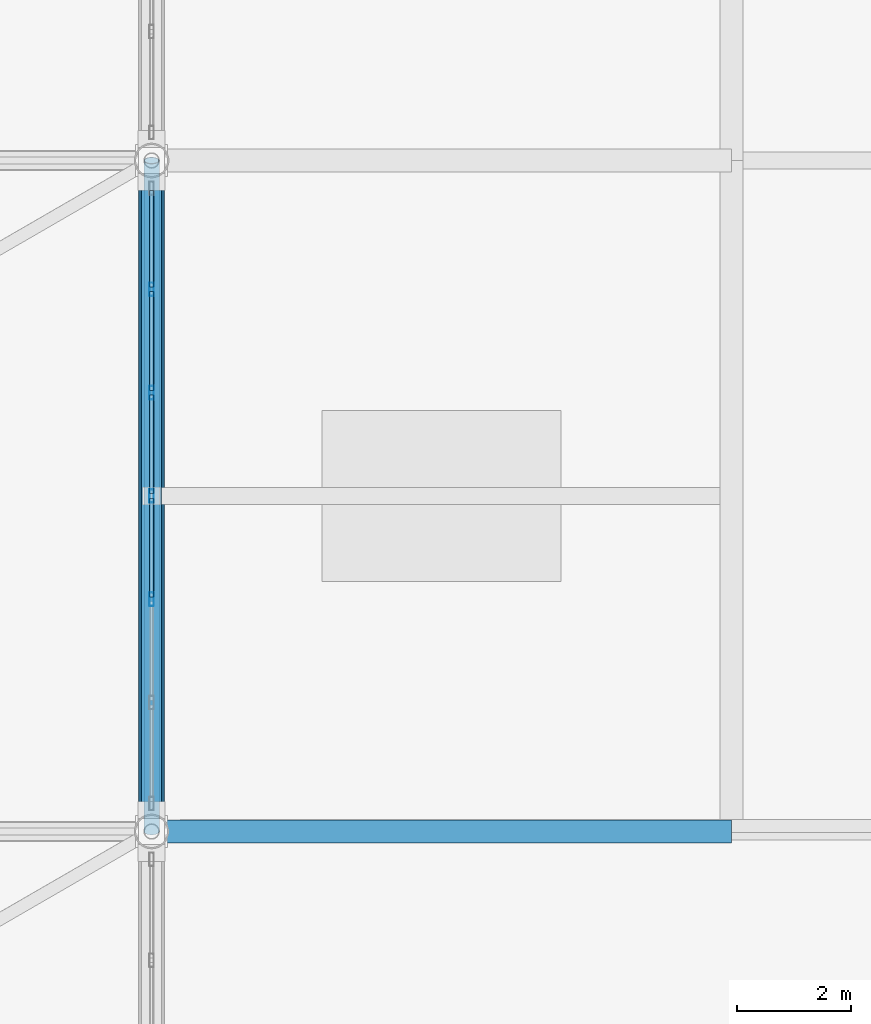
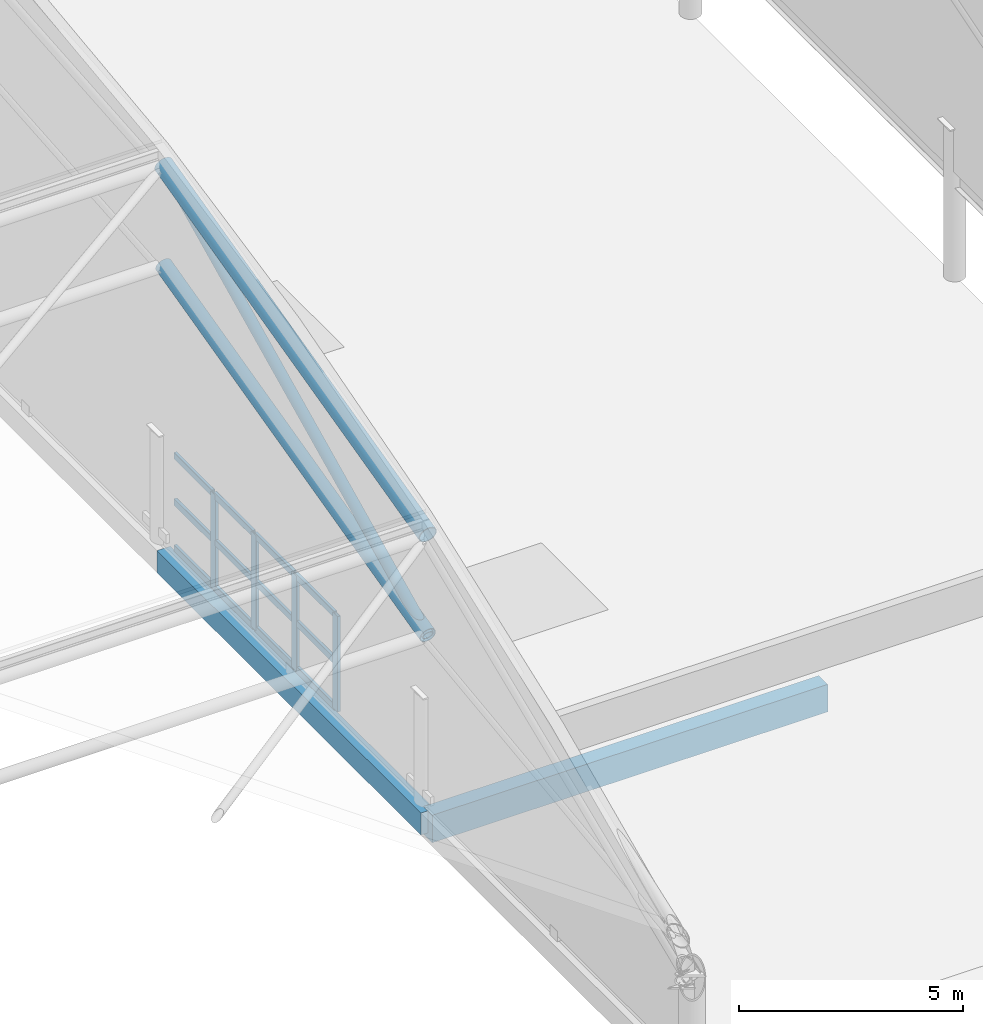
# One storey, part 50 of 135: 19 members, 2 beams, 1 element without a shape of its own.
"""IFC4 building model written with IfcOpenShell, lengths in metres."""

from ifc_helpers import new_model, si_unit, direction, frame, origin, origin_2d, place, context, subcontext, project, spatial, rectangle, hollow_rectangle, hollow_circle, extrude, material, material_profile, profile_set, type_object, element, aggregate, save


model = new_model("IFC4")

# Units and contexts
model_context = context("Model", 3, precision=1e-05, world=origin(), true_north=direction((0.0, 1.0)))
body_context = subcontext(model_context, "Body", "Model", "MODEL_VIEW")
ifc_project = project(units=[si_unit("LENGTHUNIT", "METRE"), si_unit("AREAUNIT", "SQUARE_METRE"), si_unit("VOLUMEUNIT", "CUBIC_METRE"), si_unit("PLANEANGLEUNIT", "RADIAN"), si_unit("MASSUNIT", "GRAM", prefix="KILO")], contexts=[model_context])

# Site, building, storey
site_placement = place(None, origin())
site = spatial("IfcSite", under=ifc_project, at=site_placement, CompositionType="ELEMENT")
building_placement = place(site_placement, origin())
building = spatial("IfcBuilding", under=site, at=building_placement, Name="Brelvane Convention Centre", CompositionType="ELEMENT")
storey_placement = place(building_placement, frame((0.0, 0.0, 15.0)))
storey = spatial("IfcBuildingStorey", under=building, at=storey_placement, Name="L03", CompositionType="ELEMENT", Elevation=15.0)

# Curtain wall, members
ifc_material_1 = material(Name="Anodised Aluminium Alloy 6063-T6", Category="aluminium")
curtain_wall_type = type_object("IfcCurtainWallType", Name="Curtain Wall CW-HULL-N", PredefinedType="USERDEFINED", material=ifc_material_1)
curtain_wall_placement = place(storey_placement, origin())
curtain_wall = element("IfcCurtainWall", 1, at=curtain_wall_placement, inside=storey, type_object=curtain_wall_type, Name="Curtain Wall CW-HULL-N L03-EXH-E-CLER-2", ObjectType="UNITISED", PredefinedType="USERDEFINED")
ifc_material_2 = material(Name="Anodised Aluminium Alloy 6063-T6", Category="aluminium")
ifc_material_profile_1 = material_profile(ifc_material_2, hollow_rectangle(XDim=0.080078125, YDim=0.239990234375, WallThickness=0.006103515625, InnerFilletRadius=0.006103515625, OuterFilletRadius=0.011962890625, at=origin_2d()), Name="ALU-M 240x80x6.0")
ifc_profile_set_1 = profile_set([ifc_material_profile_1], Name="Anodised Aluminium Alloy 6063-T6")
member_type_1 = type_object("IfcMemberType", Name="Curtain Mullion CW-M1", PredefinedType="MULLION", material=ifc_profile_set_1)
member_1_placement = place(storey_placement, frame((142.800048828125, 44.683349609375, 0.0), z_axis=(0.0, 0.0, 1.0), x_axis=(-1.0, 0.0, 0.0)))
member_1 = element("IfcMember", 2, at=member_1_placement, type_object=member_type_1, Name="CW-HULL-N mullion 3", PredefinedType="MULLION", context=body_context, shape_type="SweptSolid", body=[
    extrude(hollow_rectangle(XDim=0.080078125, YDim=0.239990234375, WallThickness=0.006103515625, InnerFilletRadius=0.006103515625, OuterFilletRadius=0.011962890625, at=origin_2d()), origin(), (0.0, 0.0, 1.0), 2.60009765625),
])
member_2_placement = place(storey_placement, frame((142.800048828125, 46.5, 0.0), z_axis=(0.0, 0.0, 1.0), x_axis=(-1.0, 0.0, 0.0)))
member_2 = element("IfcMember", 3, at=member_2_placement, type_object=member_type_1, Name="CW-HULL-N mullion 4", PredefinedType="MULLION", context=body_context, shape_type="SweptSolid", body=[
    extrude(hollow_rectangle(XDim=0.080078125, YDim=0.239990234375, WallThickness=0.006103515625, InnerFilletRadius=0.006103515625, OuterFilletRadius=0.011962890625, at=origin_2d()), origin(), (0.0, 0.0, 1.0), 2.60009765625),
])
member_3_placement = place(storey_placement, frame((142.800048828125, 48.316650390625, 0.0), z_axis=(0.0, 0.0, 1.0), x_axis=(-1.0, 0.0, 0.0)))
member_3 = element("IfcMember", 4, at=member_3_placement, type_object=member_type_1, Name="CW-HULL-N mullion 5", PredefinedType="MULLION", context=body_context, shape_type="SweptSolid", body=[
    extrude(hollow_rectangle(XDim=0.080078125, YDim=0.239990234375, WallThickness=0.006103515625, InnerFilletRadius=0.006103515625, OuterFilletRadius=0.011962890625, at=origin_2d()), origin(), (0.0, 0.0, 1.0), 2.60009765625),
])
member_4_placement = place(storey_placement, frame((142.800048828125, 50.13330078125, 0.0), z_axis=(0.0, 0.0, 1.0), x_axis=(-1.0, 0.0, 0.0)))
member_4 = element("IfcMember", 5, at=member_4_placement, type_object=member_type_1, Name="CW-HULL-N mullion 6", PredefinedType="MULLION", context=body_context, shape_type="SweptSolid", body=[
    extrude(hollow_rectangle(XDim=0.080078125, YDim=0.239990234375, WallThickness=0.006103515625, InnerFilletRadius=0.006103515625, OuterFilletRadius=0.011962890625, at=origin_2d()), origin(), (0.0, 0.0, 1.0), 2.60009765625),
])
ifc_material_3 = material(Name="Anodised Aluminium Alloy 6063-T6", Category="aluminium")
ifc_material_profile_2 = material_profile(ifc_material_3, hollow_rectangle(XDim=0.080078125, YDim=0.179931640625, WallThickness=0.0048828125, InnerFilletRadius=0.0048828125, OuterFilletRadius=0.010009765625, at=origin_2d()), Name="ALU-T 180x80x5.0")
ifc_profile_set_2 = profile_set([ifc_material_profile_2], Name="Anodised Aluminium Alloy 6063-T6")
member_type_2 = type_object("IfcMemberType", Name="Curtain Transom CW-T1", PredefinedType="USERDEFINED", material=ifc_profile_set_2)
member_5_placement = place(storey_placement, frame((142.800048828125, 44.723388671875, 0.0400390625), z_axis=(0.0, 1.0, 0.0), x_axis=(-1.0, 0.0, 0.0)))
member_5 = element("IfcMember", 6, at=member_5_placement, type_object=member_type_2, Name="CW-HULL-N transom 3.1", ObjectType="TRANSOM", PredefinedType="USERDEFINED", context=body_context, shape_type="SweptSolid", body=[
    extrude(hollow_rectangle(XDim=0.080078125, YDim=0.179931640625, WallThickness=0.0048828125, InnerFilletRadius=0.0048828125, OuterFilletRadius=0.010009765625, at=origin_2d()), origin(), (0.0, 0.0, 1.0), 1.736572265625),
])
member_6_placement = place(storey_placement, frame((142.800048828125, 44.723388671875, 1.300048828125), z_axis=(0.0, 1.0, 0.0), x_axis=(-1.0, 0.0, 0.0)))
member_6 = element("IfcMember", 7, at=member_6_placement, type_object=member_type_2, Name="CW-HULL-N transom 3.2", ObjectType="TRANSOM", PredefinedType="USERDEFINED", context=body_context, shape_type="SweptSolid", body=[
    extrude(hollow_rectangle(XDim=0.080078125, YDim=0.179931640625, WallThickness=0.0048828125, InnerFilletRadius=0.0048828125, OuterFilletRadius=0.010009765625, at=origin_2d()), origin(), (0.0, 0.0, 1.0), 1.736572265625),
])
member_7_placement = place(storey_placement, frame((142.800048828125, 44.723388671875, 2.56005859375), z_axis=(0.0, 1.0, 0.0), x_axis=(-1.0, 0.0, 0.0)))
member_7 = element("IfcMember", 8, at=member_7_placement, type_object=member_type_2, Name="CW-HULL-N transom 3.3", ObjectType="TRANSOM", PredefinedType="USERDEFINED", context=body_context, shape_type="SweptSolid", body=[
    extrude(hollow_rectangle(XDim=0.080078125, YDim=0.179931640625, WallThickness=0.0048828125, InnerFilletRadius=0.0048828125, OuterFilletRadius=0.010009765625, at=origin_2d()), origin(), (0.0, 0.0, 1.0), 1.736572265625),
])
member_8_placement = place(storey_placement, frame((142.800048828125, 46.5400390625, 0.0400390625), z_axis=(0.0, 1.0, 0.0), x_axis=(-1.0, 0.0, 0.0)))
member_8 = element("IfcMember", 9, at=member_8_placement, type_object=member_type_2, Name="CW-HULL-N transom 4.1", ObjectType="TRANSOM", PredefinedType="USERDEFINED", context=body_context, shape_type="SweptSolid", body=[
    extrude(hollow_rectangle(XDim=0.080078125, YDim=0.179931640625, WallThickness=0.0048828125, InnerFilletRadius=0.0048828125, OuterFilletRadius=0.010009765625, at=origin_2d()), origin(), (0.0, 0.0, 1.0), 1.736572265625),
])
member_9_placement = place(storey_placement, frame((142.800048828125, 46.5400390625, 1.300048828125), z_axis=(0.0, 1.0, 0.0), x_axis=(-1.0, 0.0, 0.0)))
member_9 = element("IfcMember", 10, at=member_9_placement, type_object=member_type_2, Name="CW-HULL-N transom 4.2", ObjectType="TRANSOM", PredefinedType="USERDEFINED", context=body_context, shape_type="SweptSolid", body=[
    extrude(hollow_rectangle(XDim=0.080078125, YDim=0.179931640625, WallThickness=0.0048828125, InnerFilletRadius=0.0048828125, OuterFilletRadius=0.010009765625, at=origin_2d()), origin(), (0.0, 0.0, 1.0), 1.736572265625),
])
member_10_placement = place(storey_placement, frame((142.800048828125, 46.5400390625, 2.56005859375), z_axis=(0.0, 1.0, 0.0), x_axis=(-1.0, 0.0, 0.0)))
member_10 = element("IfcMember", 11, at=member_10_placement, type_object=member_type_2, Name="CW-HULL-N transom 4.3", ObjectType="TRANSOM", PredefinedType="USERDEFINED", context=body_context, shape_type="SweptSolid", body=[
    extrude(hollow_rectangle(XDim=0.080078125, YDim=0.179931640625, WallThickness=0.0048828125, InnerFilletRadius=0.0048828125, OuterFilletRadius=0.010009765625, at=origin_2d()), origin(), (0.0, 0.0, 1.0), 1.736572265625),
])
member_11_placement = place(storey_placement, frame((142.800048828125, 48.356689453125, 0.0400390625), z_axis=(0.0, 1.0, 0.0), x_axis=(-1.0, 0.0, 0.0)))
member_11 = element("IfcMember", 12, at=member_11_placement, type_object=member_type_2, Name="CW-HULL-N transom 5.1", ObjectType="TRANSOM", PredefinedType="USERDEFINED", context=body_context, shape_type="SweptSolid", body=[
    extrude(hollow_rectangle(XDim=0.080078125, YDim=0.179931640625, WallThickness=0.0048828125, InnerFilletRadius=0.0048828125, OuterFilletRadius=0.010009765625, at=origin_2d()), origin(), (0.0, 0.0, 1.0), 1.736572265625),
])
member_12_placement = place(storey_placement, frame((142.800048828125, 48.356689453125, 1.300048828125), z_axis=(0.0, 1.0, 0.0), x_axis=(-1.0, 0.0, 0.0)))
member_12 = element("IfcMember", 13, at=member_12_placement, type_object=member_type_2, Name="CW-HULL-N transom 5.2", ObjectType="TRANSOM", PredefinedType="USERDEFINED", context=body_context, shape_type="SweptSolid", body=[
    extrude(hollow_rectangle(XDim=0.080078125, YDim=0.179931640625, WallThickness=0.0048828125, InnerFilletRadius=0.0048828125, OuterFilletRadius=0.010009765625, at=origin_2d()), origin(), (0.0, 0.0, 1.0), 1.736572265625),
])
member_13_placement = place(storey_placement, frame((142.800048828125, 48.356689453125, 2.56005859375), z_axis=(0.0, 1.0, 0.0), x_axis=(-1.0, 0.0, 0.0)))
member_13 = element("IfcMember", 14, at=member_13_placement, type_object=member_type_2, Name="CW-HULL-N transom 5.3", ObjectType="TRANSOM", PredefinedType="USERDEFINED", context=body_context, shape_type="SweptSolid", body=[
    extrude(hollow_rectangle(XDim=0.080078125, YDim=0.179931640625, WallThickness=0.0048828125, InnerFilletRadius=0.0048828125, OuterFilletRadius=0.010009765625, at=origin_2d()), origin(), (0.0, 0.0, 1.0), 1.736572265625),
])
member_14_placement = place(storey_placement, frame((142.800048828125, 50.17333984375, 0.0400390625), z_axis=(0.0, 1.0, 0.0), x_axis=(-1.0, 0.0, 0.0)))
member_14 = element("IfcMember", 15, at=member_14_placement, type_object=member_type_2, Name="CW-HULL-N transom 6.1", ObjectType="TRANSOM", PredefinedType="USERDEFINED", context=body_context, shape_type="SweptSolid", body=[
    extrude(hollow_rectangle(XDim=0.080078125, YDim=0.179931640625, WallThickness=0.0048828125, InnerFilletRadius=0.0048828125, OuterFilletRadius=0.010009765625, at=origin_2d()), origin(), (0.0, 0.0, 1.0), 1.69677734375),
])
member_15_placement = place(storey_placement, frame((142.800048828125, 50.17333984375, 1.300048828125), z_axis=(0.0, 1.0, 0.0), x_axis=(-1.0, 0.0, 0.0)))
member_15 = element("IfcMember", 16, at=member_15_placement, type_object=member_type_2, Name="CW-HULL-N transom 6.2", ObjectType="TRANSOM", PredefinedType="USERDEFINED", context=body_context, shape_type="SweptSolid", body=[
    extrude(hollow_rectangle(XDim=0.080078125, YDim=0.179931640625, WallThickness=0.0048828125, InnerFilletRadius=0.0048828125, OuterFilletRadius=0.010009765625, at=origin_2d()), origin(), (0.0, 0.0, 1.0), 1.69677734375),
])
member_16_placement = place(storey_placement, frame((142.800048828125, 50.17333984375, 2.56005859375), z_axis=(0.0, 1.0, 0.0), x_axis=(-1.0, 0.0, 0.0)))
member_16 = element("IfcMember", 17, at=member_16_placement, type_object=member_type_2, Name="CW-HULL-N transom 6.3", ObjectType="TRANSOM", PredefinedType="USERDEFINED", context=body_context, shape_type="SweptSolid", body=[
    extrude(hollow_rectangle(XDim=0.080078125, YDim=0.179931640625, WallThickness=0.0048828125, InnerFilletRadius=0.0048828125, OuterFilletRadius=0.010009765625, at=origin_2d()), origin(), (0.0, 0.0, 1.0), 1.69677734375),
])
aggregate(curtain_wall, [member_1, member_2, member_3, member_4, member_5, member_6, member_7, member_8, member_9, member_10, member_11, member_12, member_13, member_14, member_15, member_16])

# Beams
ifc_material_4 = material(Name="Concrete M40", Category="concrete")
ifc_material_profile_3 = material_profile(ifc_material_4, rectangle(XDim=0.39990234375, YDim=0.75, at=origin_2d()), Name="RC 400x750")
ifc_profile_set_3 = profile_set([ifc_material_profile_3], Name="Concrete M40")
beam_type_1 = type_object("IfcBeamType", Name="RC Beam B-RC6 (RC 400x750)", PredefinedType="BEAM", material=ifc_profile_set_3)
beam_1_placement = place(storey_placement, frame((142.800048828125, 40.60009765625, -0.675048828125), z_axis=(1.0, 0.0, 0.0), x_axis=(0.0, 1.0, 0.0)))
element("IfcBeam", 18, at=beam_1_placement, inside=storey, type_object=beam_type_1, Name="L03 Beam 15-16/E", PredefinedType="BEAM", context=body_context, shape_type="SweptSolid", body=[
    extrude(rectangle(XDim=0.39990234375, YDim=0.75, at=origin_2d()), origin(), (0.0, 0.0, 1.0), 10.199951171875),
])
ifc_material_5 = material(Name="Concrete M40", Category="concrete")
ifc_material_profile_4 = material_profile(ifc_material_5, rectangle(XDim=0.35009765625, YDim=0.60009765625, at=origin_2d()), Name="RC 350x600")
ifc_profile_set_4 = profile_set([ifc_material_profile_4], Name="Concrete M40")
beam_type_2 = type_object("IfcBeamType", Name="RC Spandrel SP-RC2 (RC 350x600)", PredefinedType="SPANDREL", material=ifc_profile_set_4)
beam_2_placement = place(storey_placement, frame((142.800048828125, 40.60009765625, -0.60009765625), z_axis=(0.0, 1.0, 0.0), x_axis=(-1.0, 0.0, 0.0)))
element("IfcBeam", 19, at=beam_2_placement, inside=storey, type_object=beam_type_2, Name="L03 Girder 15/E-F", PredefinedType="SPANDREL", context=body_context, shape_type="SweptSolid", body=[
    extrude(rectangle(XDim=0.35009765625, YDim=0.60009765625, at=origin_2d()), origin(), (0.0, 0.0, 1.0), 11.7998046875),
])

# Members
ifc_material_6 = material(Name="Steel E350 (350 MPa)", Category="steel")
ifc_material_profile_5 = material_profile(ifc_material_6, hollow_circle(Radius=0.136474609375, WallThickness=0.012451171875, at=origin_2d()), Name="CHS 273.0x12.5")
ifc_profile_set_5 = profile_set([ifc_material_profile_5], Name="Steel E350 (350 MPa)")
member_type_3 = type_object("IfcMemberType", Name="Steel Brace SF-DG1 (CHS 273.0x12.5)", PredefinedType="BRACE", material=ifc_profile_set_5)
member_17_placement = place(storey_placement, frame((142.800048828125, 40.60009765625, 4.489013671875), z_axis=(0.0, 0.901249063661, 0.433301425397), x_axis=(-1.0, 0.0, 0.0)))
element("IfcMember", 20, at=member_17_placement, inside=storey, type_object=member_type_3, Name="SF_EXH Space-Frame Web Diagonal D8.2", PredefinedType="BRACE", context=body_context, shape_type="SweptSolid", body=[
    extrude(hollow_circle(Radius=0.136474609375, WallThickness=0.012451171875, at=origin_2d()), origin(), (0.0, 0.0, 1.0), 13.0927734375),
])
ifc_material_7 = material(Name="Steel E450 (450 MPa)", Category="steel")
ifc_material_profile_6 = material_profile(ifc_material_7, hollow_circle(Radius=0.203125, WallThickness=0.01611328125, at=origin_2d()), Name="CHS 406.4x16.0")
ifc_profile_set_6 = profile_set([ifc_material_profile_6], Name="Steel E450 (450 MPa)")
member_type_4 = type_object("IfcMemberType", Name="Steel Chord SF-BC1 (CHS 406.4x16.0)", PredefinedType="CHORD", material=ifc_profile_set_6)
member_18_placement = place(storey_placement, frame((142.800048828125, 40.60009765625, 4.489013671875), z_axis=(0.0, 0.97046761544, 0.241231439458), x_axis=(-1.0, 0.0, 0.0)))
element("IfcMember", 21, at=member_18_placement, inside=storey, type_object=member_type_4, Name="SF_EXH Space-Frame Bottom Chord B8.2", PredefinedType="CHORD", context=body_context, shape_type="SweptSolid", body=[
    extrude(hollow_circle(Radius=0.203125, WallThickness=0.01611328125, at=origin_2d()), origin(), (0.0, 0.0, 1.0), 12.158935546875),
])
ifc_material_8 = material(Name="Steel E450 (450 MPa)", Category="steel")
ifc_material_profile_7 = material_profile(ifc_material_8, hollow_circle(Radius=0.228515625, WallThickness=0.02001953125, at=origin_2d()), Name="CHS 457.0x20.0")
ifc_profile_set_7 = profile_set([ifc_material_profile_7], Name="Steel E450 (450 MPa)")
member_type_5 = type_object("IfcMemberType", Name="Steel Chord SF-TC1 (CHS 457.0x20.0)", PredefinedType="CHORD", material=ifc_profile_set_7)
member_19_placement = place(storey_placement, frame((142.800048828125, 40.60009765625, 7.22900390625), z_axis=(0.0, 0.97046761544, 0.241231439458), x_axis=(-1.0, 0.0, 0.0)))
element("IfcMember", 22, at=member_19_placement, inside=storey, type_object=member_type_5, Name="SF_EXH Space-Frame Top Chord T8.2", PredefinedType="CHORD", context=body_context, shape_type="SweptSolid", body=[
    extrude(hollow_circle(Radius=0.228515625, WallThickness=0.02001953125, at=origin_2d()), origin(), (0.0, 0.0, 1.0), 12.158935546875),
])

save(model, "model.ifc")
